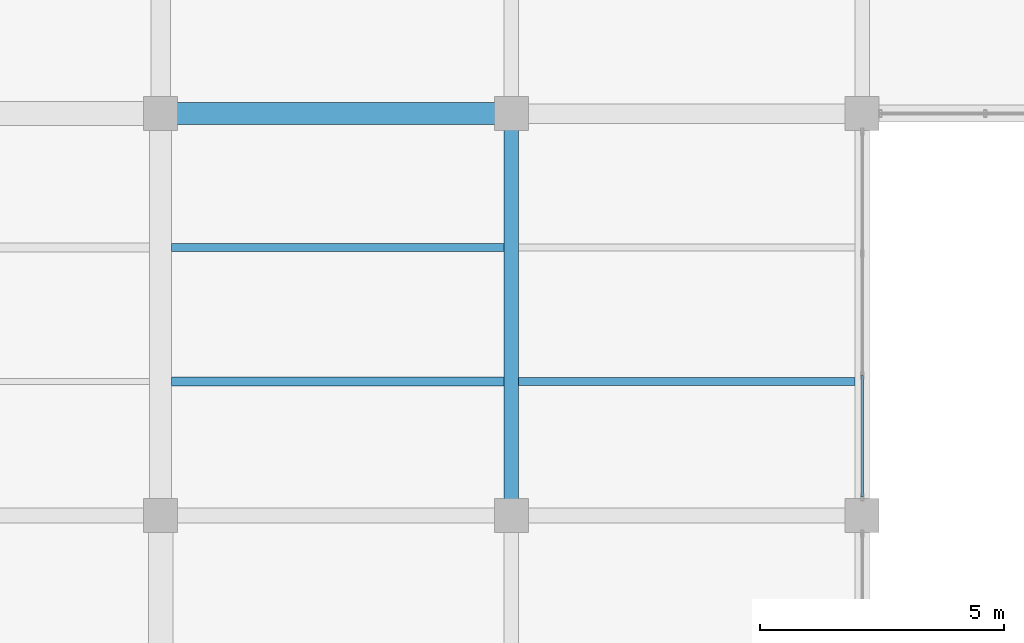
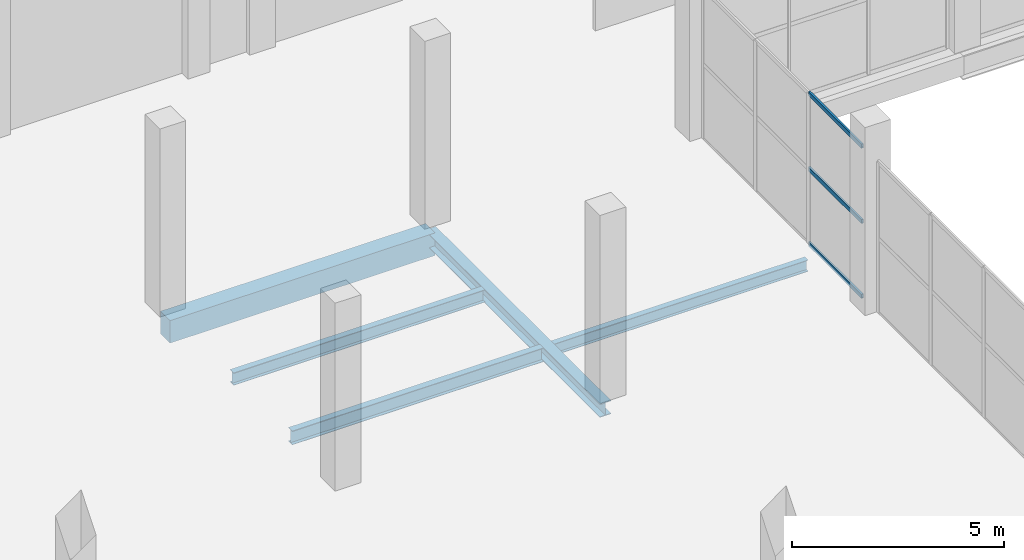
# One storey, part 73 of 147: 5 beams, 3 members, 1 element without a shape of its own.
"""IFC4 building model written with IfcOpenShell, lengths in metres."""

from ifc_helpers import new_model, si_unit, direction, frame, origin, origin_2d, place, context, subcontext, project, spatial, rectangle, hollow_rectangle, i_section, extrude, material, layer, layer_set, material_profile, profile_set, type_object, element, aggregate, save


model = new_model("IFC4")

# Units and contexts
model_context = context("Model", 3, precision=1e-05, world=origin(), true_north=direction((0.0, 1.0)))
body_context = subcontext(model_context, "Body", "Model", "MODEL_VIEW")
ifc_project = project(units=[si_unit("LENGTHUNIT", "METRE"), si_unit("AREAUNIT", "SQUARE_METRE"), si_unit("VOLUMEUNIT", "CUBIC_METRE"), si_unit("PLANEANGLEUNIT", "RADIAN"), si_unit("MASSUNIT", "GRAM", prefix="KILO")], contexts=[model_context])

# Site, building, storey
site_placement = place(None, origin())
site = spatial("IfcSite", under=ifc_project, at=site_placement, CompositionType="ELEMENT")
building_placement = place(site_placement, origin())
building = spatial("IfcBuilding", under=site, at=building_placement, Name="Sundgate Opera House", CompositionType="ELEMENT")
storey_placement = place(building_placement, frame((0.0, 0.0, 6.0)))
storey = spatial("IfcBuildingStorey", under=building, at=storey_placement, Name="L01", CompositionType="ELEMENT", Elevation=6.0)

# Beams
ifc_material_1 = material(Name="Steel S355J2", Category="steel")
ifc_material_profile_1 = material_profile(ifc_material_1, i_section(OverallWidth=0.300048828125, OverallDepth=0.389892578125, WebThickness=0.010986328125, FlangeThickness=0.01904296875, at=origin_2d()), Name="HEA 400")
ifc_profile_set_1 = profile_set([ifc_material_profile_1], Name="Steel S355J2")
beam_type_1 = type_object("IfcBeamType", Name="BM-GR-HEA400", PredefinedType="BEAM", material=ifc_profile_set_1)
beam_1_placement = place(storey_placement, frame((117.0, 103.5, -0.4951171875), z_axis=(0.0, 1.0, 0.0), x_axis=(-1.0, 0.0, 0.0)))
element("IfcBeam", 1, at=beam_1_placement, inside=storey, type_object=beam_type_1, Name="L01 Primary N-S Girder B1193", PredefinedType="BEAM", context=body_context, shape_type="SweptSolid", body=[
    extrude(i_section(OverallWidth=0.300048828125, OverallDepth=0.389892578125, WebThickness=0.010986328125, FlangeThickness=0.01904296875, at=origin_2d()), origin(), (0.0, 0.0, 1.0), 8.25),
])
ifc_material_2 = material(Name="Steel S355J2", Category="steel")
ifc_material_profile_2 = material_profile(ifc_material_2, i_section(OverallWidth=0.159912109375, OverallDepth=0.330078125, WebThickness=0.007568359375, FlangeThickness=0.011474609375, at=origin_2d()), Name="IPE 330")
ifc_profile_set_2 = profile_set([ifc_material_profile_2], Name="Steel S355J2")
beam_type_2 = type_object("IfcBeamType", Name="BM-JS-IPE330", PredefinedType="JOIST", material=ifc_profile_set_2)
beam_2_placement = place(storey_placement, frame((117.14990234375, 106.25, -0.465087890625), z_axis=(1.0, 0.0, 0.0), x_axis=(0.0, 1.0, 0.0)))
element("IfcBeam", 2, at=beam_2_placement, inside=storey, type_object=beam_type_2, Name="L01 Secondary Floor Joist B1732", PredefinedType="JOIST", context=body_context, shape_type="SweptSolid", body=[
    extrude(i_section(OverallWidth=0.159912109375, OverallDepth=0.330078125, WebThickness=0.007568359375, FlangeThickness=0.011474609375, at=origin_2d()), origin(), (0.0, 0.0, 1.0), 6.900146484375),
])
ifc_material_3 = material(Name="Steel S355J2", Category="steel")
ifc_material_profile_3 = material_profile(ifc_material_3, i_section(OverallWidth=0.169921875, OverallDepth=0.360107421875, WebThickness=0.008056640625, FlangeThickness=0.0126953125, at=origin_2d()), Name="IPE 360")
ifc_profile_set_3 = profile_set([ifc_material_profile_3], Name="Steel S355J2")
beam_type_3 = type_object("IfcBeamType", Name="BM-JS-IPE360", PredefinedType="JOIST", material=ifc_profile_set_3)
beam_3_placement = place(storey_placement, frame((110.02490234375, 109.0, -0.47998046875), z_axis=(1.0, 0.0, 0.0), x_axis=(0.0, 1.0, 0.0)))
element("IfcBeam", 3, at=beam_3_placement, inside=storey, type_object=beam_type_3, Name="L01 Secondary Floor Joist B1731", PredefinedType="JOIST", context=body_context, shape_type="SweptSolid", body=[
    extrude(i_section(OverallWidth=0.169921875, OverallDepth=0.360107421875, WebThickness=0.008056640625, FlangeThickness=0.0126953125, at=origin_2d()), origin(), (0.0, 0.0, 1.0), 6.8251953125),
])
ifc_material_4 = material(Name="Steel S355J2", Category="steel")
ifc_material_profile_4 = material_profile(ifc_material_4, i_section(OverallWidth=0.179931640625, OverallDepth=0.39990234375, WebThickness=0.008544921875, FlangeThickness=0.013427734375, at=origin_2d()), Name="IPE 400")
ifc_profile_set_4 = profile_set([ifc_material_profile_4], Name="Steel S355J2")
beam_type_4 = type_object("IfcBeamType", Name="BM-JS-IPE400", PredefinedType="JOIST", material=ifc_profile_set_4)
beam_4_placement = place(storey_placement, frame((110.02490234375, 106.25, -0.5), z_axis=(1.0, 0.0, 0.0), x_axis=(0.0, 1.0, 0.0)))
element("IfcBeam", 4, at=beam_4_placement, inside=storey, type_object=beam_type_4, Name="L01 Secondary Floor Joist B1730", PredefinedType="JOIST", context=body_context, shape_type="SweptSolid", body=[
    extrude(i_section(OverallWidth=0.179931640625, OverallDepth=0.39990234375, WebThickness=0.008544921875, FlangeThickness=0.013427734375, at=origin_2d()), origin(), (0.0, 0.0, 1.0), 6.8251953125),
])
ifc_material_5 = material(Name="Concrete C35/45", Category="concrete")
ifc_material_profile_5 = material_profile(ifc_material_5, rectangle(XDim=0.449951171875, YDim=0.64990234375, at=origin_2d()), Name="RC 450x650")
ifc_profile_set_5 = profile_set([ifc_material_profile_5], Name="Concrete C35/45")
beam_type_5 = type_object("IfcBeamType", Name="BM-RC-450x650", PredefinedType="BEAM", material=ifc_profile_set_5)
beam_5_placement = place(storey_placement, frame((109.800048828125, 111.75, -0.625), z_axis=(1.0, 0.0, 0.0), x_axis=(0.0, 1.0, 0.0)))
element("IfcBeam", 5, at=beam_5_placement, inside=storey, type_object=beam_type_5, Name="L01 Primary E-W Girder B1443", PredefinedType="BEAM", context=body_context, shape_type="SweptSolid", body=[
    extrude(rectangle(XDim=0.449951171875, YDim=0.64990234375, at=origin_2d()), origin(), (0.0, 0.0, 1.0), 7.199951171875),
])

# Curtain wall, members
ifc_material_6 = material(Name="Anodized aluminium and low-iron glass", Category="aluminium")
ifc_layer = layer(ifc_material_6, 0.159912109375)
ifc_layer_set = layer_set([ifc_layer], Name="Anodized aluminium and low-iron glass")
curtain_wall_type = type_object("IfcCurtainWallType", Name="CW-STUDIO-DARK", PredefinedType="NOTDEFINED", material=ifc_layer_set)
curtain_wall_placement = place(storey_placement, origin())
curtain_wall = element("IfcCurtainWall", 6, at=curtain_wall_placement, inside=storey, type_object=curtain_wall_type, Name="L01 Curtain Wall CW106", PredefinedType="NOTDEFINED")
ifc_material_7 = material(Name="Anodized aluminium EN AW-6063", Category="aluminium")
ifc_material_profile_6 = material_profile(ifc_material_7, hollow_rectangle(XDim=0.054931640625, YDim=0.1201171875, WallThickness=0.00390625, at=origin_2d()), Name="CWT 120x55x4")
ifc_profile_set_6 = profile_set([ifc_material_profile_6], Name="Anodized aluminium EN AW-6063")
member_type = type_object("IfcMemberType", Name="CWT-ALU-120x55", PredefinedType="USERDEFINED", material=ifc_profile_set_6)
member_1_placement = place(storey_placement, frame((124.199951171875, 103.875, 0.0), z_axis=(0.0, 1.0, 0.0), x_axis=(-1.0, 0.0, 0.0)))
member_1 = element("IfcMember", 7, at=member_1_placement, type_object=member_type, Name="CW106 Transom 1", ObjectType="TRANSOM", PredefinedType="USERDEFINED", context=body_context, shape_type="SweptSolid", body=[
    extrude(hollow_rectangle(XDim=0.054931640625, YDim=0.1201171875, WallThickness=0.00390625, at=origin_2d()), origin(), (0.0, 0.0, 1.0), 2.5),
])
member_2_placement = place(storey_placement, frame((124.199951171875, 103.875, 2.14990234375), z_axis=(0.0, 1.0, 0.0), x_axis=(-1.0, 0.0, 0.0)))
member_2 = element("IfcMember", 8, at=member_2_placement, type_object=member_type, Name="CW106 Transom 2", ObjectType="TRANSOM", PredefinedType="USERDEFINED", context=body_context, shape_type="SweptSolid", body=[
    extrude(hollow_rectangle(XDim=0.054931640625, YDim=0.1201171875, WallThickness=0.00390625, at=origin_2d()), origin(), (0.0, 0.0, 1.0), 2.5),
])
member_3_placement = place(storey_placement, frame((124.199951171875, 103.875, 4.31494140625), z_axis=(0.0, 1.0, 0.0), x_axis=(-1.0, 0.0, 0.0)))
member_3 = element("IfcMember", 9, at=member_3_placement, type_object=member_type, Name="CW106 Transom 3", ObjectType="TRANSOM", PredefinedType="USERDEFINED", context=body_context, shape_type="SweptSolid", body=[
    extrude(hollow_rectangle(XDim=0.054931640625, YDim=0.1201171875, WallThickness=0.00390625, at=origin_2d()), origin(), (0.0, 0.0, 1.0), 2.5),
])
aggregate(curtain_wall, [member_1, member_2, member_3])

save(model, "model.ifc")
